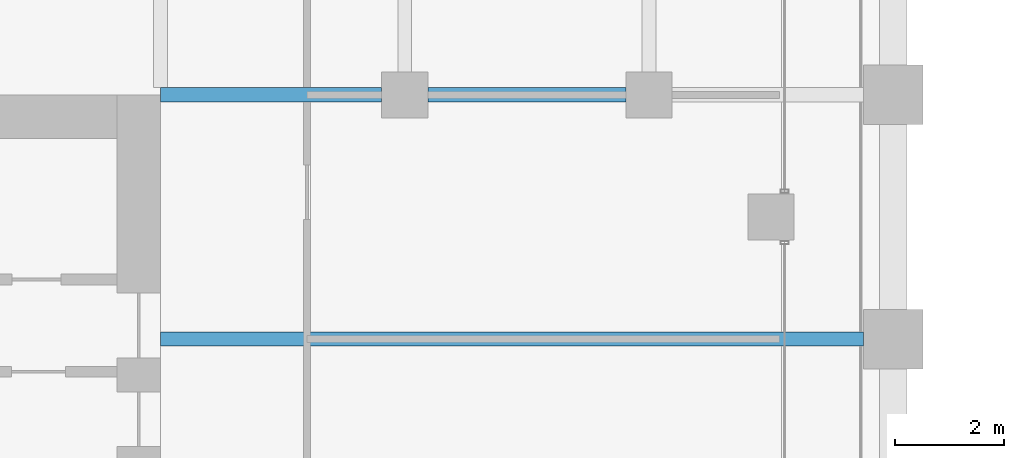
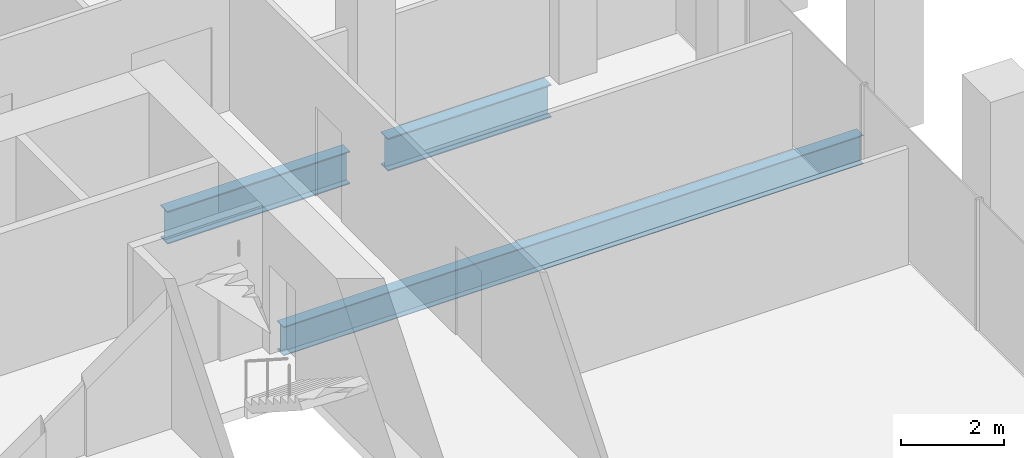
# One storey, part 21 of 56: 3 beams.
"""IFC4 building model written with IfcOpenShell, lengths in metres."""

from ifc_helpers import new_model, si_unit, direction, frame, origin, origin_2d, place, context, subcontext, project, spatial, i_section, extrude, material, material_profile, profile_set, type_object, element, save


model = new_model("IFC4")

# Units and contexts
model_context = context("Model", 3, precision=1e-05, world=origin(), true_north=direction((0.0, 1.0)))
body_context = subcontext(model_context, "Body", "Model", "MODEL_VIEW")
ifc_project = project(units=[si_unit("LENGTHUNIT", "METRE"), si_unit("AREAUNIT", "SQUARE_METRE"), si_unit("VOLUMEUNIT", "CUBIC_METRE"), si_unit("PLANEANGLEUNIT", "RADIAN"), si_unit("MASSUNIT", "GRAM", prefix="KILO")], contexts=[model_context])

# Site, building, storey
site_placement = place(None, origin())
site = spatial("IfcSite", under=ifc_project, at=site_placement, CompositionType="ELEMENT")
building_placement = place(site_placement, origin())
building = spatial("IfcBuilding", under=site, at=building_placement, Name="Altepetl Exchange Towers", CompositionType="ELEMENT")
storey_placement = place(building_placement, frame((0.0, 0.0, 54.60009765625)))
storey = spatial("IfcBuildingStorey", under=building, at=storey_placement, Name="L12", CompositionType="ELEMENT", Elevation=54.60009765625)

# Beams
ifc_material = material(Name="Steel S355", Category="steel")
ifc_material_profile_1 = material_profile(ifc_material, i_section(OverallWidth=0.25390625, OverallDepth=0.68408203125, WebThickness=0.012451171875, FlangeThickness=0.018798828125, at=origin_2d()), Name="W27X94")
ifc_profile_set_1 = profile_set([ifc_material_profile_1], Name="Steel S355")
beam_type_1 = type_object("IfcBeamType", Name="Floor beam W27X94", PredefinedType="BEAM", material=ifc_profile_set_1)
beam_1_placement = place(storey_placement, frame((58.5, 54.0, -0.4921875), z_axis=(1.0, 0.0, 0.0), x_axis=(0.0, 1.0, 0.0)))
element("IfcBeam", 1, at=beam_1_placement, inside=storey, type_object=beam_type_1, Name="bm:A:L12:011", PredefinedType="BEAM", context=body_context, shape_type="SweptSolid", body=[
    extrude(i_section(OverallWidth=0.25390625, OverallDepth=0.68408203125, WebThickness=0.012451171875, FlangeThickness=0.018798828125, at=origin_2d()), origin(), (0.0, 0.0, 1.0), 12.949951171875),
])
ifc_material_profile_2 = material_profile(ifc_material, i_section(OverallWidth=0.26806640625, OverallDepth=0.77392578125, WebThickness=0.015380859375, FlangeThickness=0.025390625, at=origin_2d()), Name="W30X132")
ifc_profile_set_2 = profile_set([ifc_material_profile_2], Name="Steel S355")
beam_type_2 = type_object("IfcBeamType", Name="Girder W30X132", PredefinedType="BEAM", material=ifc_profile_set_2)
beam_2_placement = place(storey_placement, frame((58.5, 58.5, -0.537109375), z_axis=(1.0, 0.0, 0.0), x_axis=(0.0, 1.0, 0.0)))
element("IfcBeam", 2, at=beam_2_placement, inside=storey, type_object=beam_type_2, Name="gd:A:L12:000", PredefinedType="BEAM", context=body_context, shape_type="SweptSolid", body=[
    extrude(i_section(OverallWidth=0.26806640625, OverallDepth=0.77392578125, WebThickness=0.015380859375, FlangeThickness=0.025390625, at=origin_2d()), origin(), (0.0, 0.0, 1.0), 4.074951171875),
])
beam_3_placement = place(storey_placement, frame((63.425048828125, 58.5, -0.537109375), z_axis=(1.0, 0.0, 0.0), x_axis=(0.0, 1.0, 0.0)))
element("IfcBeam", 3, at=beam_3_placement, inside=storey, type_object=beam_type_2, Name="gd:A:L12:001", PredefinedType="BEAM", context=body_context, shape_type="SweptSolid", body=[
    extrude(i_section(OverallWidth=0.26806640625, OverallDepth=0.77392578125, WebThickness=0.015380859375, FlangeThickness=0.025390625, at=origin_2d()), origin(), (0.0, 0.0, 1.0), 3.64990234375),
])

save(model, "model.ifc")
